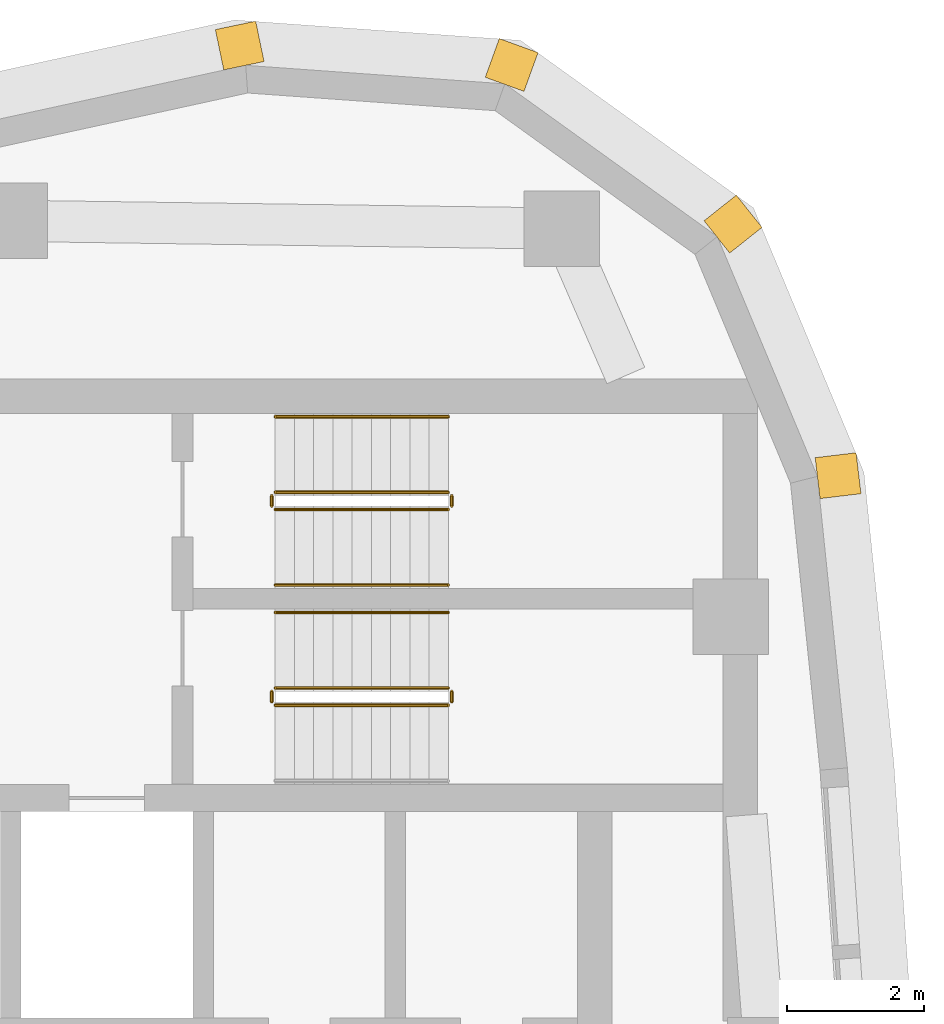
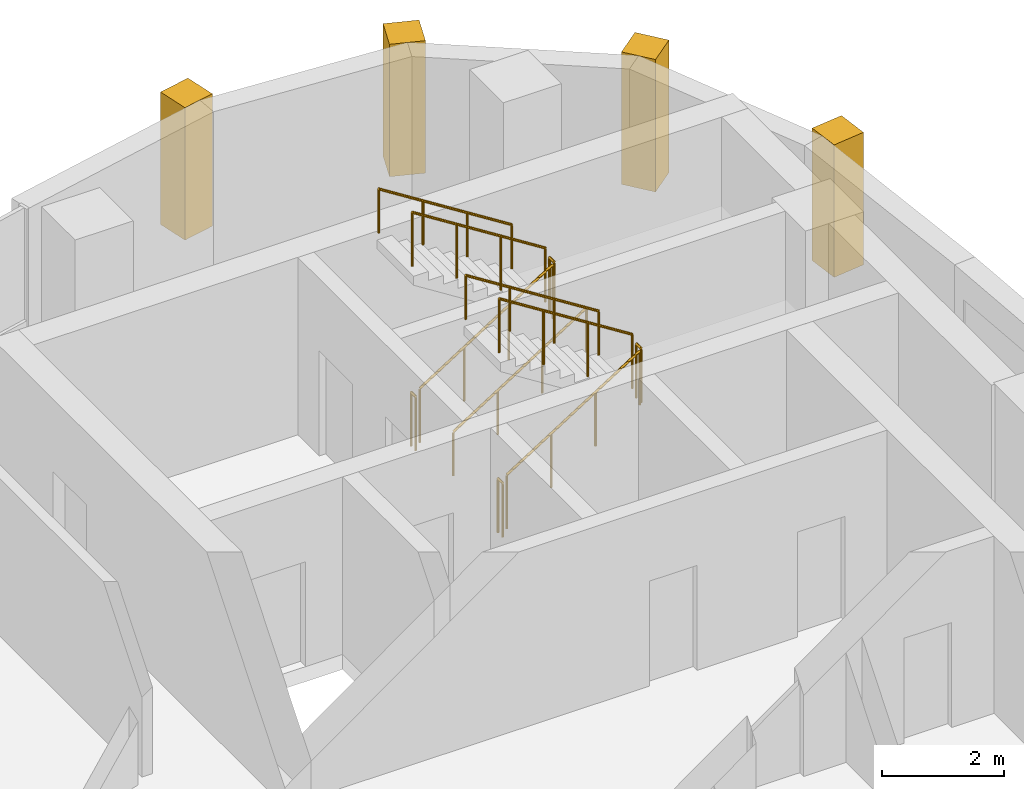
# One storey, part 14 of 14: 11 railings, 4 coverings.
"""IFC4 building model written with IfcOpenShell, lengths in metres."""

from ifc_helpers import new_model, si_unit, direction, frame, frame_2d, origin, origin_2d, place, context, subcontext, project, spatial, rectangle, circle, extrude, material, layer, layer_set, type_object, element, save


model = new_model("IFC4")

# Units and contexts
model_context = context("Model", 3, precision=1e-05, world=origin(), true_north=direction((0.0, 1.0)))
body_context = subcontext(model_context, "Body", "Model", "MODEL_VIEW")
ifc_project = project(units=[si_unit("LENGTHUNIT", "METRE"), si_unit("AREAUNIT", "SQUARE_METRE"), si_unit("VOLUMEUNIT", "CUBIC_METRE"), si_unit("PLANEANGLEUNIT", "RADIAN"), si_unit("MASSUNIT", "GRAM", prefix="KILO")], contexts=[model_context])

# Site, building, storey
site_placement = place(None, origin())
site = spatial("IfcSite", under=ifc_project, at=site_placement, CompositionType="ELEMENT")
building_placement = place(site_placement, origin())
building = spatial("IfcBuilding", under=site, at=building_placement, Name="Ostrand Prow Hotel Tower", CompositionType="ELEMENT")
storey_placement = place(building_placement, frame((0.0, 0.0, 299.85009765625)))
storey = spatial("IfcBuildingStorey", under=building, at=storey_placement, Name="L76", CompositionType="ELEMENT", Elevation=299.85009765625)

# Coverings
ifc_material_1 = material(Name="Limestone cladding", Category="masonry")
ifc_layer = layer(ifc_material_1, 0.60009765625)
ifc_layer_set = layer_set([ifc_layer], Name="Limestone cladding")
covering_type = type_object("IfcCoveringType", Name="Precast stone prow rib 600x600", PredefinedType="CLADDING", material=ifc_layer_set)
covering_1_placement = place(storey_placement, frame((65.0966796875, 14.806396484375, 0.599853515625), z_axis=(0.0, 0.0, 1.0), x_axis=(0.992867207971, 0.119225447515, 0.0)))
element("IfcCovering", 1, at=covering_1_placement, inside=storey, type_object=covering_type, Name="Stone corner rib 12a", PredefinedType="CLADDING", context=body_context, shape_type="SweptSolid", body=[
    extrude(rectangle(XDim=0.60009765625, YDim=0.60009765625, at=frame_2d((0.300048828125, 0.0))), origin(), (0.0, 0.0, 1.0), 2.650146484375),
])
for number, where, z_axis, x_axis, name in (
    (2, (63.630615234375, 18.318359375, 0.599853515625), (0.0, 0.0, 1.0), (0.782731736812, 0.622359243674, 0.0), "Stone corner rib 13a"),
    (3, (60.540283203125, 20.539794921875, 0.599853515625), (0.0, 0.0, 1.0), (0.340664419472, 0.940184956966, 0.0), "Stone corner rib 14a"),
):
    element("IfcCovering", number, at=place(storey_placement, frame(where, z_axis=z_axis, x_axis=x_axis)), inside=storey, type_object=covering_type, Name=name, PredefinedType="CLADDING", context=body_context, shape_type="SweptSolid", body=[
        extrude(rectangle(XDim=0.599853515625, YDim=0.60009765625, at=frame_2d((0.2998046875, 0.0))), origin(), (0.0, 0.0, 1.0), 2.650146484375),
    ])
covering_2_placement = place(storey_placement, frame((56.744384765625, 20.810546875, 0.599853515625), z_axis=(0.0, 0.0, 1.0), x_axis=(-0.203385687349, 0.979098698897, 0.0)))
element("IfcCovering", 4, at=covering_2_placement, inside=storey, type_object=covering_type, Name="Stone corner rib 14b", PredefinedType="CLADDING", context=body_context, shape_type="SweptSolid", body=[
    extrude(rectangle(XDim=0.60009765625, YDim=0.60009765625, at=frame_2d((0.300048828125, 0.0))), origin(), (0.0, 0.0, 1.0), 2.650146484375),
])

# Railings
ifc_material_2 = material(Name="Painted steel", Category="steel")
railing_type_1 = type_object("IfcRailingType", Name="Stair guard 1100", PredefinedType="GUARDRAIL", material=ifc_material_2)
railing_1_placement = place(storey_placement, frame((57.199951171875, 11.5, 0.177490234375)))
element("IfcRailing", 5, at=railing_1_placement, inside=storey, type_object=railing_type_1, Name="L76 ST1C stair guard 1", PredefinedType="GUARDRAIL", context=body_context, shape_type="SweptSolid", body=[
    extrude(circle(Radius=0.02392578125, at=origin_2d()), frame((0.0, 0.0, 1.076171875), z_axis=(0.84460694969, 0.0, 0.535386869969), x_axis=(0.0, 1.0, 0.0)), (0.0, 0.0, 1.0), 2.983642578125),
    extrude(circle(Radius=0.02099609375, at=origin_2d()), origin(), (0.0, 0.0, 1.0), 1.052001953125),
    extrude(circle(Radius=0.02099609375, at=origin_2d()), frame((0.840087890625, 0.0, 0.532470703125)), (0.0, 0.0, 1.0), 1.052001953125),
    extrude(circle(Radius=0.02099609375, at=origin_2d()), frame((1.679931640625, 0.0, 1.06494140625)), (0.0, 0.0, 1.0), 1.052001953125),
    extrude(circle(Radius=0.02099609375, at=origin_2d()), frame((2.52001953125, 0.0, 1.597412109375)), (0.0, 0.0, 1.0), 1.052001953125),
])
railing_2_placement = place(storey_placement, frame((59.77001953125, 11.550048828125, 1.77490234375)))
element("IfcRailing", 6, at=railing_2_placement, inside=storey, type_object=railing_type_1, Name="L76 ST1C stair guard 2", PredefinedType="GUARDRAIL", context=body_context, shape_type="SweptSolid", body=[
    extrude(circle(Radius=0.02392578125, at=origin_2d()), frame((0.0, 0.0, 1.076171875), z_axis=(0.0, 1.0, 0.0), x_axis=(-1.0, 0.0, 0.0)), (0.0, 0.0, 1.0), 0.14990234375),
    extrude(circle(Radius=0.02099609375, at=origin_2d()), origin(), (0.0, 0.0, 1.0), 1.052001953125),
    extrude(circle(Radius=0.02099609375, at=origin_2d()), frame((0.0, 0.14990234375, 0.0)), (0.0, 0.0, 1.0), 1.052001953125),
])
railing_3_placement = place(storey_placement, frame((59.719970703125, 11.75, 1.952392578125)))
element("IfcRailing", 7, at=railing_3_placement, inside=storey, type_object=railing_type_1, Name="L76 ST1C stair guard 3", PredefinedType="GUARDRAIL", context=body_context, shape_type="SweptSolid", body=[
    extrude(circle(Radius=0.02392578125, at=origin_2d()), frame((0.0, 0.0, 1.076171875), z_axis=(-0.84460694969, 0.0, 0.535386869969), x_axis=(0.0, -1.0, 0.0)), (0.0, 0.0, 1.0), 2.983642578125),
    extrude(circle(Radius=0.02099609375, at=origin_2d()), origin(), (0.0, 0.0, 1.0), 1.052001953125),
    extrude(circle(Radius=0.02099609375, at=origin_2d()), frame((-0.840087890625, 0.0, 0.532470703125)), (0.0, 0.0, 1.0), 1.052001953125),
    extrude(circle(Radius=0.02099609375, at=origin_2d()), frame((-1.679931640625, 0.0, 1.06494140625)), (0.0, 0.0, 1.0), 1.052001953125),
    extrude(circle(Radius=0.02099609375, at=origin_2d()), frame((-2.52001953125, 0.0, 1.597412109375)), (0.0, 0.0, 1.0), 1.052001953125),
])
railing_4_placement = place(storey_placement, frame((57.14990234375, 11.550048828125, 0.0)))
element("IfcRailing", 8, at=railing_4_placement, inside=storey, type_object=railing_type_1, Name="L76 ST1C stair guard 4", PredefinedType="GUARDRAIL", context=body_context, shape_type="SweptSolid", body=[
    extrude(circle(Radius=0.02392578125, at=origin_2d()), frame((0.0, 0.0, 1.076171875), z_axis=(0.0, 1.0, 0.0), x_axis=(-1.0, 0.0, 0.0)), (0.0, 0.0, 1.0), 0.14990234375),
    extrude(circle(Radius=0.02099609375, at=origin_2d()), origin(), (0.0, 0.0, 1.0), 1.052001953125),
    extrude(circle(Radius=0.02099609375, at=origin_2d()), frame((0.0, 0.14990234375, 0.0)), (0.0, 0.0, 1.0), 1.052001953125),
])
railing_5_placement = place(storey_placement, frame((57.199951171875, 14.35009765625, 0.177490234375)))
element("IfcRailing", 9, at=railing_5_placement, inside=storey, type_object=railing_type_1, Name="L76 ST3C stair guard 1", PredefinedType="GUARDRAIL", context=body_context, shape_type="SweptSolid", body=[
    extrude(circle(Radius=0.02392578125, at=origin_2d()), frame((0.0, 0.0, 1.076171875), z_axis=(0.84460694969, 0.0, 0.535386869969), x_axis=(0.0, 1.0, 0.0)), (0.0, 0.0, 1.0), 2.983642578125),
    extrude(circle(Radius=0.02099609375, at=origin_2d()), origin(), (0.0, 0.0, 1.0), 1.052001953125),
    extrude(circle(Radius=0.02099609375, at=origin_2d()), frame((0.840087890625, 0.0, 0.532470703125)), (0.0, 0.0, 1.0), 1.052001953125),
    extrude(circle(Radius=0.02099609375, at=origin_2d()), frame((1.679931640625, 0.0, 1.06494140625)), (0.0, 0.0, 1.0), 1.052001953125),
    extrude(circle(Radius=0.02099609375, at=origin_2d()), frame((2.52001953125, 0.0, 1.597412109375)), (0.0, 0.0, 1.0), 1.052001953125),
])
railing_6_placement = place(storey_placement, frame((59.77001953125, 14.39990234375, 1.77490234375)))
element("IfcRailing", 10, at=railing_6_placement, inside=storey, type_object=railing_type_1, Name="L76 ST3C stair guard 2", PredefinedType="GUARDRAIL", context=body_context, shape_type="SweptSolid", body=[
    extrude(circle(Radius=0.02392578125, at=origin_2d()), frame((0.0, 0.0, 1.076171875), z_axis=(0.0, 1.0, 0.0), x_axis=(-1.0, 0.0, 0.0)), (0.0, 0.0, 1.0), 0.150146484375),
    extrude(circle(Radius=0.02099609375, at=origin_2d()), origin(), (0.0, 0.0, 1.0), 1.052001953125),
    extrude(circle(Radius=0.02099609375, at=origin_2d()), frame((0.0, 0.150146484375, 0.0)), (0.0, 0.0, 1.0), 1.052001953125),
])
railing_7_placement = place(storey_placement, frame((59.719970703125, 14.60009765625, 1.952392578125)))
element("IfcRailing", 11, at=railing_7_placement, inside=storey, type_object=railing_type_1, Name="L76 ST3C stair guard 3", PredefinedType="GUARDRAIL", context=body_context, shape_type="SweptSolid", body=[
    extrude(circle(Radius=0.02392578125, at=origin_2d()), frame((0.0, 0.0, 1.076171875), z_axis=(-0.84460694969, 0.0, 0.535386869969), x_axis=(0.0, -1.0, 0.0)), (0.0, 0.0, 1.0), 2.983642578125),
    extrude(circle(Radius=0.02099609375, at=origin_2d()), origin(), (0.0, 0.0, 1.0), 1.052001953125),
    extrude(circle(Radius=0.02099609375, at=origin_2d()), frame((-0.840087890625, 0.0, 0.532470703125)), (0.0, 0.0, 1.0), 1.052001953125),
    extrude(circle(Radius=0.02099609375, at=origin_2d()), frame((-1.679931640625, 0.0, 1.06494140625)), (0.0, 0.0, 1.0), 1.052001953125),
    extrude(circle(Radius=0.02099609375, at=origin_2d()), frame((-2.52001953125, 0.0, 1.597412109375)), (0.0, 0.0, 1.0), 1.052001953125),
])
railing_8_placement = place(storey_placement, frame((57.14990234375, 14.39990234375, 0.0)))
element("IfcRailing", 12, at=railing_8_placement, inside=storey, type_object=railing_type_1, Name="L76 ST3C stair guard 4", PredefinedType="GUARDRAIL", context=body_context, shape_type="SweptSolid", body=[
    extrude(circle(Radius=0.02392578125, at=origin_2d()), frame((0.0, 0.0, 1.076171875), z_axis=(0.0, 1.0, 0.0), x_axis=(-1.0, 0.0, 0.0)), (0.0, 0.0, 1.0), 0.150146484375),
    extrude(circle(Radius=0.02099609375, at=origin_2d()), origin(), (0.0, 0.0, 1.0), 1.052001953125),
    extrude(circle(Radius=0.02099609375, at=origin_2d()), frame((0.0, 0.150146484375, 0.0)), (0.0, 0.0, 1.0), 1.052001953125),
])
ifc_material_3 = material(Name="Stainless steel", Category="steel")
railing_type_2 = type_object("IfcRailingType", Name="Stair handrail 900", PredefinedType="HANDRAIL", material=ifc_material_3)
railing_9_placement = place(storey_placement, frame((59.719970703125, 12.85009765625, 1.952392578125)))
element("IfcRailing", 13, at=railing_9_placement, inside=storey, type_object=railing_type_2, Name="L76 ST1C stair handrail 2", PredefinedType="HANDRAIL", context=body_context, shape_type="SweptSolid", body=[
    extrude(circle(Radius=0.02392578125, at=origin_2d()), frame((0.0, 0.0, 0.8759765625), z_axis=(-0.84460694969, 0.0, 0.535386869969), x_axis=(0.0, -1.0, 0.0)), (0.0, 0.0, 1.0), 2.983642578125),
    extrude(circle(Radius=0.02099609375, at=origin_2d()), origin(), (0.0, 0.0, 1.0), 0.851806640625),
    extrude(circle(Radius=0.02099609375, at=origin_2d()), frame((-0.840087890625, 0.0, 0.532470703125)), (0.0, 0.0, 1.0), 0.851806640625),
    extrude(circle(Radius=0.02099609375, at=origin_2d()), frame((-1.679931640625, 0.0, 1.06494140625)), (0.0, 0.0, 1.0), 0.851806640625),
    extrude(circle(Radius=0.02099609375, at=origin_2d()), frame((-2.52001953125, 0.0, 1.597412109375)), (0.0, 0.0, 1.0), 0.851806640625),
])
railing_10_placement = place(storey_placement, frame((57.199951171875, 13.25, 0.177490234375)))
element("IfcRailing", 14, at=railing_10_placement, inside=storey, type_object=railing_type_2, Name="L76 ST3C stair handrail 1", PredefinedType="HANDRAIL", context=body_context, shape_type="SweptSolid", body=[
    extrude(circle(Radius=0.02392578125, at=origin_2d()), frame((0.0, 0.0, 0.8759765625), z_axis=(0.84460694969, 0.0, 0.535386869969), x_axis=(0.0, 1.0, 0.0)), (0.0, 0.0, 1.0), 2.983642578125),
    extrude(circle(Radius=0.02099609375, at=origin_2d()), origin(), (0.0, 0.0, 1.0), 0.851806640625),
    extrude(circle(Radius=0.02099609375, at=origin_2d()), frame((0.840087890625, 0.0, 0.532470703125)), (0.0, 0.0, 1.0), 0.851806640625),
    extrude(circle(Radius=0.02099609375, at=origin_2d()), frame((1.679931640625, 0.0, 1.06494140625)), (0.0, 0.0, 1.0), 0.851806640625),
    extrude(circle(Radius=0.02099609375, at=origin_2d()), frame((2.52001953125, 0.0, 1.597412109375)), (0.0, 0.0, 1.0), 0.851806640625),
])
railing_11_placement = place(storey_placement, frame((59.719970703125, 15.699951171875, 1.952392578125)))
element("IfcRailing", 15, at=railing_11_placement, inside=storey, type_object=railing_type_2, Name="L76 ST3C stair handrail 2", PredefinedType="HANDRAIL", context=body_context, shape_type="SweptSolid", body=[
    extrude(circle(Radius=0.02392578125, at=origin_2d()), frame((0.0, 0.0, 0.8759765625), z_axis=(-0.84460694969, 0.0, 0.535386869969), x_axis=(0.0, -1.0, 0.0)), (0.0, 0.0, 1.0), 2.983642578125),
    extrude(circle(Radius=0.02099609375, at=origin_2d()), origin(), (0.0, 0.0, 1.0), 0.851806640625),
    extrude(circle(Radius=0.02099609375, at=origin_2d()), frame((-0.840087890625, 0.0, 0.532470703125)), (0.0, 0.0, 1.0), 0.851806640625),
    extrude(circle(Radius=0.02099609375, at=origin_2d()), frame((-1.679931640625, 0.0, 1.06494140625)), (0.0, 0.0, 1.0), 0.851806640625),
    extrude(circle(Radius=0.02099609375, at=origin_2d()), frame((-2.52001953125, 0.0, 1.597412109375)), (0.0, 0.0, 1.0), 0.851806640625),
])

save(model, "model.ifc")
